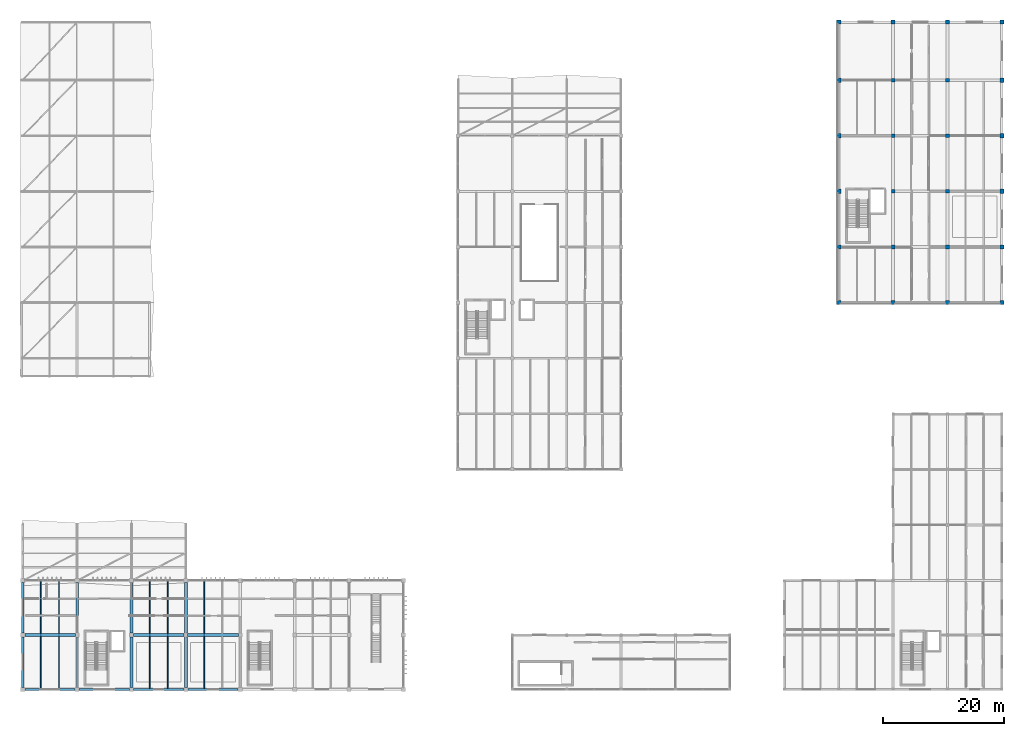
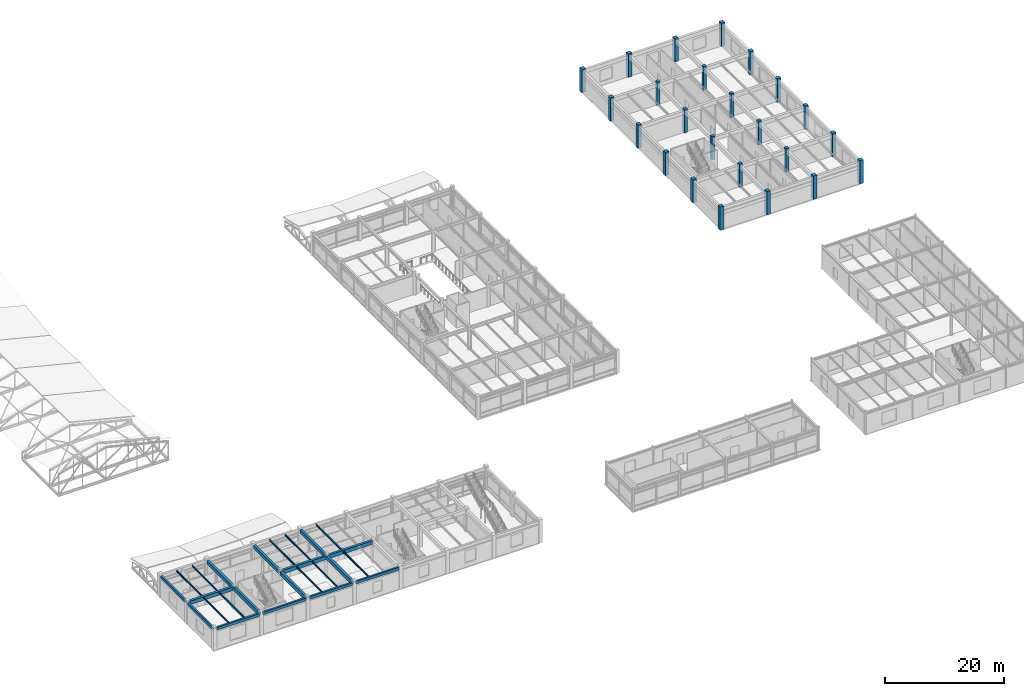
# One storey, part 10 of 61: 25 beams, 24 columns.
"""IFC4 building model written with IfcOpenShell, lengths in metres."""

from ifc_helpers import new_model, si_unit, direction, frame, origin, origin_2d, place, context, subcontext, project, spatial, rectangle, i_section, extrude, material, material_profile, profile_set, type_object, element, save


model = new_model("IFC4")

# Units and contexts
model_context = context("Model", 3, precision=1e-05, world=origin(), true_north=direction((0.0, 1.0)))
body_context = subcontext(model_context, "Body", "Model", "MODEL_VIEW")
ifc_project = project(units=[si_unit("LENGTHUNIT", "METRE"), si_unit("AREAUNIT", "SQUARE_METRE"), si_unit("VOLUMEUNIT", "CUBIC_METRE"), si_unit("PLANEANGLEUNIT", "RADIAN"), si_unit("MASSUNIT", "GRAM", prefix="KILO")], contexts=[model_context])

# Site, building, storey
site_placement = place(None, origin())
site = spatial("IfcSite", under=ifc_project, at=site_placement, CompositionType="ELEMENT")
building_placement = place(site_placement, origin())
building = spatial("IfcBuilding", under=site, at=building_placement, Name="Bozkorgan Art Gallery", CompositionType="ELEMENT")
storey_placement = place(building_placement, frame((0.0, 0.0, 10.199951171875)))
storey = spatial("IfcBuildingStorey", under=building, at=storey_placement, Name="L02", CompositionType="ELEMENT", Elevation=10.199951171875)

# Columns
ifc_material_1 = material(Name="Concrete C40/50", Category="concrete")
ifc_material_profile_1 = material_profile(ifc_material_1, rectangle(XDim=0.60009765625, YDim=0.60009765625, at=origin_2d()), Name="RC 600x600")
ifc_profile_set_1 = profile_set([ifc_material_profile_1], Name="Concrete C40/50")
column_type_1 = type_object("IfcColumnType", Name="COLUMN-C-57", PredefinedType="COLUMN", material=ifc_profile_set_1)
for number, where, z_axis, x_axis, name in (
    (1, (146.0, 75.199951171875, 0.0), (0.0, 0.0, 1.0), (1.0, 0.0, 0.0), "V5 L02 column (146.0, 75.2)"),
    (2, (146.0, 84.39990234375, 0.0), (0.0, 0.0, 1.0), (1.0, 0.0, 0.0), "V5 L02 column (146.0, 84.4)"),
    (3, (146.0, 93.60009765625, 0.0), (0.0, 0.0, 1.0), (1.0, 0.0, 0.0), "V5 L02 column (146.0, 93.6)"),
    (4, (146.0, 102.800048828125, 0.0), (0.0, 0.0, 1.0), (1.0, 0.0, 0.0), "V5 L02 column (146.0, 102.8)"),
    (5, (155.0, 75.199951171875, 0.0), (0.0, 0.0, 1.0), (1.0, 0.0, 0.0), "V5 L02 column (155.0, 75.2)"),
    (6, (155.0, 84.39990234375, 0.0), (0.0, 0.0, 1.0), (1.0, 0.0, 0.0), "V5 L02 column (155.0, 84.4)"),
    (7, (155.0, 93.60009765625, 0.0), (0.0, 0.0, 1.0), (1.0, 0.0, 0.0), "V5 L02 column (155.0, 93.6)"),
    (8, (155.0, 102.800048828125, 0.0), (0.0, 0.0, 1.0), (1.0, 0.0, 0.0), "V5 L02 column (155.0, 102.8)"),
):
    element("IfcColumn", number, at=place(storey_placement, frame(where, z_axis=z_axis, x_axis=x_axis)), inside=storey, type_object=column_type_1, Name=name, PredefinedType="COLUMN", context=body_context, shape_type="SweptSolid", body=[
        extrude(rectangle(XDim=0.60009765625, YDim=0.60009765625, at=origin_2d()), origin(), (0.0, 0.0, 1.0), 4.800048828125),
    ])
ifc_material_profile_2 = material_profile(ifc_material_1, rectangle(XDim=0.699951171875, YDim=0.699951171875, at=origin_2d()), Name="RC 700x700")
ifc_profile_set_2 = profile_set([ifc_material_profile_2], Name="Concrete C40/50")
column_type_2 = type_object("IfcColumnType", Name="COLUMN-C-73", PredefinedType="COLUMN", material=ifc_profile_set_2)
for number, where, z_axis, x_axis, name in (
    (9, (137.0, 66.0, 0.0), (0.0, 0.0, 1.0), (1.0, 0.0, 0.0), "V5 L02 column (137.0, 66.0)"),
    (10, (137.0, 75.199951171875, 0.0), (0.0, 0.0, 1.0), (1.0, 0.0, 0.0), "V5 L02 column (137.0, 75.2)"),
    (11, (137.0, 84.39990234375, 0.0), (0.0, 0.0, 1.0), (1.0, 0.0, 0.0), "V5 L02 column (137.0, 84.4)"),
    (12, (137.0, 93.60009765625, 0.0), (0.0, 0.0, 1.0), (1.0, 0.0, 0.0), "V5 L02 column (137.0, 93.6)"),
    (13, (137.0, 102.800048828125, 0.0), (0.0, 0.0, 1.0), (1.0, 0.0, 0.0), "V5 L02 column (137.0, 102.8)"),
    (14, (137.0, 112.39990234375, 0.0), (0.0, 0.0, 1.0), (1.0, 0.0, 0.0), "V5 L02 column (137.0, 112.4)"),
    (15, (146.0, 66.0, 0.0), (0.0, 0.0, 1.0), (1.0, 0.0, 0.0), "V5 L02 column (146.0, 66.0)"),
    (16, (146.0, 112.39990234375, 0.0), (0.0, 0.0, 1.0), (1.0, 0.0, 0.0), "V5 L02 column (146.0, 112.4)"),
    (17, (155.0, 66.0, 0.0), (0.0, 0.0, 1.0), (1.0, 0.0, 0.0), "V5 L02 column (155.0, 66.0)"),
    (18, (155.0, 112.39990234375, 0.0), (0.0, 0.0, 1.0), (1.0, 0.0, 0.0), "V5 L02 column (155.0, 112.4)"),
    (19, (164.0, 66.0, 0.0), (0.0, 0.0, 1.0), (1.0, 0.0, 0.0), "V5 L02 column (164.0, 66.0)"),
    (20, (164.0, 75.199951171875, 0.0), (0.0, 0.0, 1.0), (1.0, 0.0, 0.0), "V5 L02 column (164.0, 75.2)"),
    (21, (164.0, 84.39990234375, 0.0), (0.0, 0.0, 1.0), (1.0, 0.0, 0.0), "V5 L02 column (164.0, 84.4)"),
    (22, (164.0, 93.60009765625, 0.0), (0.0, 0.0, 1.0), (1.0, 0.0, 0.0), "V5 L02 column (164.0, 93.6)"),
    (23, (164.0, 102.800048828125, 0.0), (0.0, 0.0, 1.0), (1.0, 0.0, 0.0), "V5 L02 column (164.0, 102.8)"),
    (24, (164.0, 112.39990234375, 0.0), (0.0, 0.0, 1.0), (1.0, 0.0, 0.0), "V5 L02 column (164.0, 112.4)"),
):
    element("IfcColumn", number, at=place(storey_placement, frame(where, z_axis=z_axis, x_axis=x_axis)), inside=storey, type_object=column_type_2, Name=name, PredefinedType="COLUMN", context=body_context, shape_type="SweptSolid", body=[
        extrude(rectangle(XDim=0.699951171875, YDim=0.699951171875, at=origin_2d()), origin(), (0.0, 0.0, 1.0), 4.800048828125),
    ])

# Beams
ifc_material_2 = material(Name="Concrete C35/45", Category="concrete")
ifc_material_profile_3 = material_profile(ifc_material_2, rectangle(XDim=0.449951171875, YDim=0.75, at=origin_2d()), Name="RC 450x750")
ifc_profile_set_3 = profile_set([ifc_material_profile_3], Name="Concrete C35/45")
beam_type_1 = type_object("IfcBeamType", Name="BEAM-BM-27", PredefinedType="BEAM", material=ifc_profile_set_3)
beam_placement = place(storey_placement, frame((2.35009765625, 11.0, 4.10498046875), z_axis=(1.0, 0.0, 0.0), x_axis=(0.0, 1.0, 0.0)))
element("IfcBeam", 25, at=beam_placement, inside=storey, type_object=beam_type_1, Name="V1 L02 beam X (2-11, 11.0)", PredefinedType="BEAM", context=body_context, shape_type="SweptSolid", body=[
    extrude(rectangle(XDim=0.449951171875, YDim=0.75, at=origin_2d()), origin(), (0.0, 0.0, 1.0), 8.349853515625),
])
for number, where, z_axis, x_axis, name in (
    (26, (20.300048828125, 11.0, 4.10498046875), (1.0, 0.0, 0.0), (0.0, 1.0, 0.0), "V1 L02 beam X (20-29, 11.0)"),
    (27, (29.300048828125, 11.0, 4.10498046875), (1.0, 0.0, 0.0), (0.0, 1.0, 0.0), "V1 L02 beam X (29-38, 11.0)"),
):
    element("IfcBeam", number, at=place(storey_placement, frame(where, z_axis=z_axis, x_axis=x_axis)), inside=storey, type_object=beam_type_1, Name=name, PredefinedType="BEAM", context=body_context, shape_type="SweptSolid", body=[
        extrude(rectangle(XDim=0.449951171875, YDim=0.75, at=origin_2d()), origin(), (0.0, 0.0, 1.0), 8.39990234375),
    ])
for number, where, z_axis, x_axis, name in (
    (28, (11.0, 2.35009765625, 4.10498046875), (0.0, 1.0, 0.0), (-1.0, 0.0, 0.0), "V1 L02 beam Y (11, 2.0-11.0)"),
    (29, (11.0, 11.300048828125, 4.10498046875), (0.0, 1.0, 0.0), (-1.0, 0.0, 0.0), "V1 L02 beam Y (11, 11.0-20.0)"),
    (30, (20.0, 2.35009765625, 4.10498046875), (0.0, 1.0, 0.0), (-1.0, 0.0, 0.0), "V1 L02 beam Y (20, 2.0-11.0)"),
    (31, (20.0, 11.300048828125, 4.10498046875), (0.0, 1.0, 0.0), (-1.0, 0.0, 0.0), "V1 L02 beam Y (20, 11.0-20.0)"),
    (32, (29.0, 2.35009765625, 4.10498046875), (0.0, 1.0, 0.0), (-1.0, 0.0, 0.0), "V1 L02 beam Y (29, 2.0-11.0)"),
    (33, (29.0, 11.300048828125, 4.10498046875), (0.0, 1.0, 0.0), (-1.0, 0.0, 0.0), "V1 L02 beam Y (29, 11.0-20.0)"),
):
    element("IfcBeam", number, at=place(storey_placement, frame(where, z_axis=z_axis, x_axis=x_axis)), inside=storey, type_object=beam_type_1, Name=name, PredefinedType="BEAM", context=body_context, shape_type="SweptSolid", body=[
        extrude(rectangle(XDim=0.449951171875, YDim=0.75, at=origin_2d()), origin(), (0.0, 0.0, 1.0), 8.349853515625),
    ])
ifc_material_3 = material(Name="Steel S355J2", Category="steel")
ifc_material_profile_4 = material_profile(ifc_material_3, i_section(OverallWidth=0.159912109375, OverallDepth=0.330078125, WebThickness=0.007568359375, FlangeThickness=0.011474609375, FilletRadius=0.01806640625, at=origin_2d()), Name="IPE 330")
ifc_profile_set_4 = profile_set([ifc_material_profile_4], Name="Steel S355J2")
beam_type_2 = type_object("IfcBeamType", Name="BEAM-JS-33", PredefinedType="JOIST", material=ifc_profile_set_4)
for number, where, z_axis, x_axis, name in (
    (34, (5.0, 2.175048828125, 4.31494140625), (0.0, 1.0, 0.0), (-1.0, 0.0, 0.0), "V1 L02 secondary joist (2-11, 2.0-11.0) #1"),
    (35, (8.0, 2.175048828125, 4.31494140625), (0.0, 1.0, 0.0), (-1.0, 0.0, 0.0), "V1 L02 secondary joist (2-11, 2.0-11.0) #2"),
    (36, (5.0, 11.22509765625, 4.31494140625), (0.0, 1.0, 0.0), (-1.0, 0.0, 0.0), "V1 L02 secondary joist (2-11, 11.0-20.0) #1"),
    (37, (8.0, 11.22509765625, 4.31494140625), (0.0, 1.0, 0.0), (-1.0, 0.0, 0.0), "V1 L02 secondary joist (2-11, 11.0-20.0) #2"),
    (38, (23.0, 2.175048828125, 4.31494140625), (0.0, 1.0, 0.0), (-1.0, 0.0, 0.0), "V1 L02 secondary joist (20-29, 2.0-11.0) #1"),
    (39, (26.0, 2.175048828125, 4.31494140625), (0.0, 1.0, 0.0), (-1.0, 0.0, 0.0), "V1 L02 secondary joist (20-29, 2.0-11.0) #2"),
    (40, (23.0, 11.22509765625, 4.31494140625), (0.0, 1.0, 0.0), (-1.0, 0.0, 0.0), "V1 L02 secondary joist (20-29, 11.0-20.0) #1"),
    (41, (26.0, 11.22509765625, 4.31494140625), (0.0, 1.0, 0.0), (-1.0, 0.0, 0.0), "V1 L02 secondary joist (20-29, 11.0-20.0) #2"),
    (42, (32.0, 2.175048828125, 4.31494140625), (0.0, 1.0, 0.0), (-1.0, 0.0, 0.0), "V1 L02 secondary joist (29-38, 2.0-11.0) #1"),
    (43, (32.0, 11.22509765625, 4.31494140625), (0.0, 1.0, 0.0), (-1.0, 0.0, 0.0), "V1 L02 secondary joist (29-38, 11.0-20.0) #1"),
):
    element("IfcBeam", number, at=place(storey_placement, frame(where, z_axis=z_axis, x_axis=x_axis)), inside=storey, type_object=beam_type_2, Name=name, PredefinedType="JOIST", context=body_context, shape_type="SweptSolid", body=[
        extrude(i_section(OverallWidth=0.159912109375, OverallDepth=0.330078125, WebThickness=0.007568359375, FlangeThickness=0.011474609375, FilletRadius=0.01806640625, at=origin_2d()), origin(), (0.0, 0.0, 1.0), 8.599853515625),
    ])
ifc_material_profile_5 = material_profile(ifc_material_2, rectangle(XDim=0.35009765625, YDim=0.550048828125, at=origin_2d()), Name="RC 350x550")
ifc_profile_set_5 = profile_set([ifc_material_profile_5], Name="Concrete C35/45")
beam_type_3 = type_object("IfcBeamType", Name="BEAM-SP-49", PredefinedType="SPANDREL", material=ifc_profile_set_5)
for number, where, z_axis, x_axis, name in (
    (44, (2.35009765625, 2.0, 4.205078125), (1.0, 0.0, 0.0), (0.0, 1.0, 0.0), "V1 L02 spandrel X (2-11, 2.0)"),
    (45, (11.35009765625, 2.0, 4.205078125), (1.0, 0.0, 0.0), (0.0, 1.0, 0.0), "V1 L02 spandrel X (11-20, 2.0)"),
    (46, (20.35009765625, 2.0, 4.205078125), (1.0, 0.0, 0.0), (0.0, 1.0, 0.0), "V1 L02 spandrel X (20-29, 2.0)"),
    (47, (29.35009765625, 2.0, 4.205078125), (1.0, 0.0, 0.0), (0.0, 1.0, 0.0), "V1 L02 spandrel X (29-38, 2.0)"),
    (48, (2.0, 2.35009765625, 4.205078125), (0.0, 1.0, 0.0), (-1.0, 0.0, 0.0), "V1 L02 spandrel Y (2, 2.0-11.0)"),
    (49, (2.0, 11.35009765625, 4.205078125), (0.0, 1.0, 0.0), (-1.0, 0.0, 0.0), "V1 L02 spandrel Y (2, 11.0-20.0)"),
):
    element("IfcBeam", number, at=place(storey_placement, frame(where, z_axis=z_axis, x_axis=x_axis)), inside=storey, type_object=beam_type_3, Name=name, PredefinedType="SPANDREL", context=body_context, shape_type="SweptSolid", body=[
        extrude(rectangle(XDim=0.35009765625, YDim=0.550048828125, at=origin_2d()), origin(), (0.0, 0.0, 1.0), 8.2998046875),
    ])

save(model, "model.ifc")
